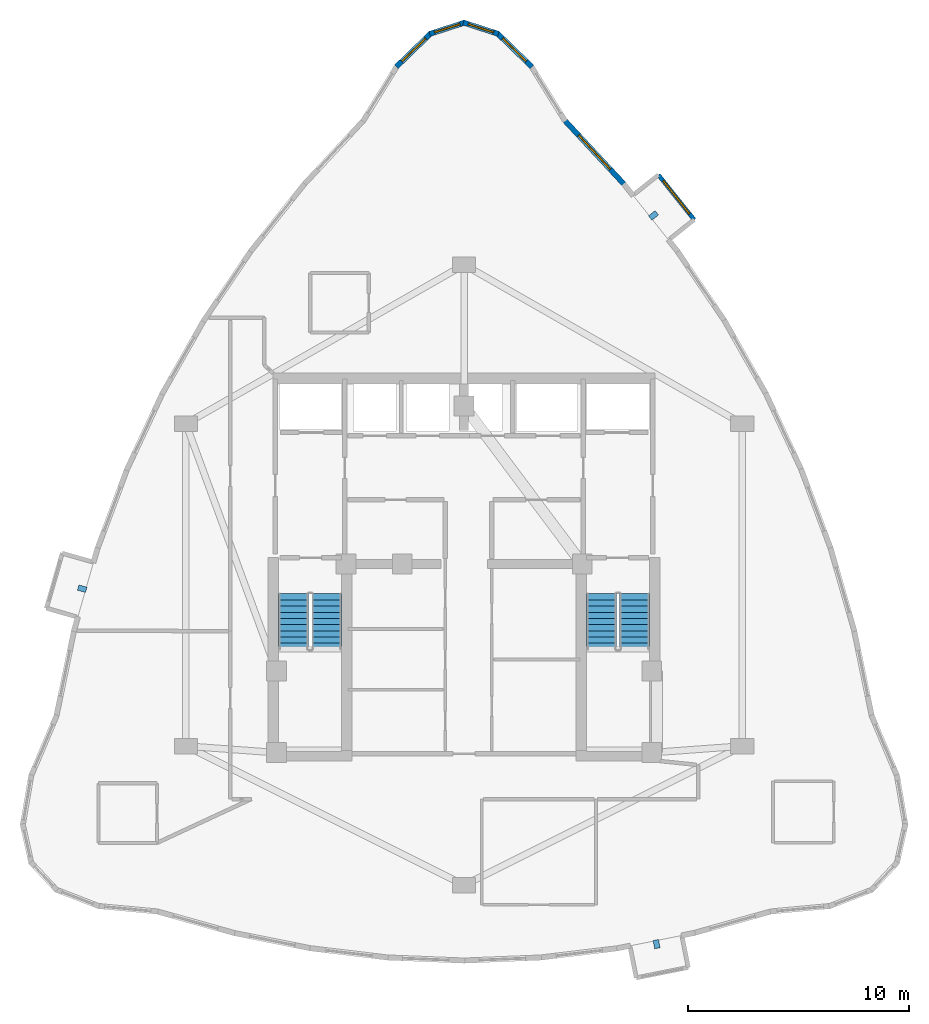
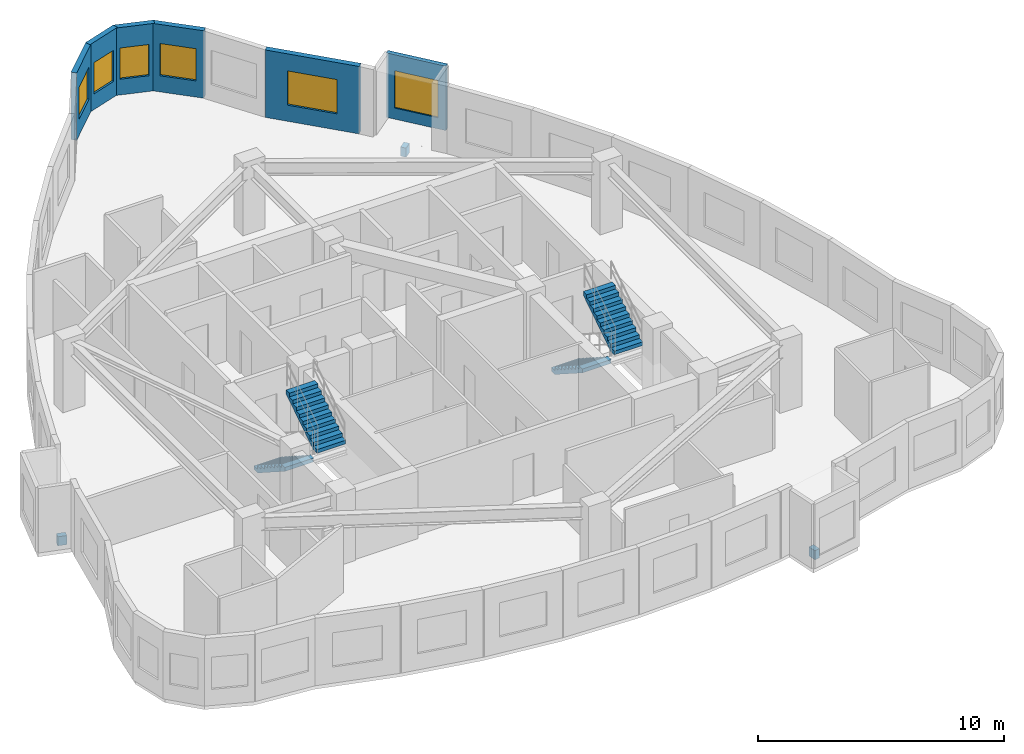
# One storey, part 9 of 10: 6 walls, 6 windows, 4 stair flights, 3 discrete accessories, 6 openings, 2 elements without a shape of their own.
"""IFC4 building model written with IfcOpenShell, lengths in metres."""

from ifc_helpers import new_model, si_unit, direction, frame, frame_2d, origin, origin_2d, place, context, subcontext, project, spatial, polyline, rectangle, outline, extrude, material, layer, layer_set, type_object, element, fill, aggregate, save


model = new_model("IFC4")

# Units and contexts
model_context = context("Model", 3, precision=1e-05, world=origin(), true_north=direction((0.0, 1.0)))
body_context = subcontext(model_context, "Body", "Model", "MODEL_VIEW")
ifc_project = project(units=[si_unit("LENGTHUNIT", "METRE"), si_unit("AREAUNIT", "SQUARE_METRE"), si_unit("VOLUMEUNIT", "CUBIC_METRE"), si_unit("PLANEANGLEUNIT", "RADIAN"), si_unit("MASSUNIT", "GRAM", prefix="KILO")], contexts=[model_context])

# Site, building, storey
site_placement = place(None, origin())
site = spatial("IfcSite", under=ifc_project, at=site_placement, CompositionType="ELEMENT")
building_placement = place(site_placement, origin())
building = spatial("IfcBuilding", under=site, at=building_placement, Name="Miruveldt Soraemaru", CompositionType="ELEMENT")
storey_placement = place(building_placement, frame((0.0, 0.0, 226.800048828125)))
storey = spatial("IfcBuildingStorey", under=building, at=storey_placement, Name="L62", CompositionType="ELEMENT", Elevation=226.800048828125)

# Wall, opening, window
ifc_material_1 = material(Name="White powder-coated aluminium EN AW-6060 T6", Category="aluminium")
ifc_layer_1 = layer(ifc_material_1, 0.18994140625, Name="White powder-coated aluminium EN AW-6060 T6", Category="aluminium")
ifc_layer_set_1 = layer_set([ifc_layer_1], Name="White powder-coated aluminium EN AW-6060 T6")
wall_type_1 = type_object("IfcWallType", Name="WALL-BAY-ALU190", PredefinedType="SOLIDWALL", material=ifc_layer_set_1)
wall_1_placement = place(storey_placement, frame((54.4228515625, 59.641357421875, 0.0), z_axis=(0.0, 0.0, 1.0), x_axis=(-0.623606546405, 0.781738367538, 0.0)))
wall_1 = element("IfcWall", 1, at=wall_1_placement, inside=storey, type_object=wall_type_1, Name="L62 Bay Window Front Frame 3", PredefinedType="SOLIDWALL", context=body_context, shape_type="SweptSolid", body=[
    extrude(rectangle(XDim=2.599853515625, YDim=0.18994140625, at=frame_2d((1.2998046875, 0.0))), origin(), (0.0, 0.0, 1.0), 3.195068359375),
])
opening_1_placement = place(wall_1_placement, frame((0.35009765625, 0.0, 0.550048828125)))
opening_1 = element("IfcOpeningElement", 2, at=opening_1_placement, cuts=wall_1, Name="Opening WN-6", PredefinedType="OPENING", context=body_context, shape_type="SweptSolid", body=[
    extrude(rectangle(XDim=1.89990234375, YDim=1.85009765625, at=frame_2d((0.949951171875, 0.925048828125))), frame((0.0, 0.10498046875, 0.0), z_axis=(0.0, -1.0, 0.0), x_axis=(1.0, 0.0, 0.0)), (0.0, 0.0, 1.0), 0.2099609375),
])
ifc_material_2 = material(Name="Triple low-e insulated glazing", Category="glass")
window_type_1 = type_object("IfcWindowType", Name="WIN-BAYW-1900x1850", PartitioningType="SINGLE_PANEL", PredefinedType="WINDOW", material=ifc_material_2)
window_1_placement = place(opening_1_placement, origin())
window_1 = element("IfcWindow", 3, at=window_1_placement, inside=storey, type_object=window_type_1, Name="L62 Projecting Bay Window 3", OverallHeight=1.85009765625, OverallWidth=1.89990234375, PartitioningType="SINGLE_PANEL", PredefinedType="WINDOW", context=body_context, shape_type="SweptSolid", body=[
    extrude(rectangle(XDim=1.89990234375, YDim=1.85009765625, at=frame_2d((0.949951171875, 0.925048828125))), frame((0.0, 0.030029296875, 0.0), z_axis=(0.0, -1.0, 0.0), x_axis=(1.0, 0.0, 0.0)), (0.0, 0.0, 1.0), 0.06005859375),
])
fill(opening_1, window_1)

ifc_material_3 = material(Name="Precast concrete C45/55 (45 MPa)", Category="concrete")
ifc_layer_2 = layer(ifc_material_3, 0.239990234375, Name="Precast concrete C45/55 (45 MPa)", Category="concrete")
ifc_layer_set_2 = layer_set([ifc_layer_2], Name="Precast concrete C45/55 (45 MPa)")
wall_type_2 = type_object("IfcWallType", Name="WALL-EXT-PC240", PredefinedType="SOLIDWALL", material=ifc_layer_set_2)
wall_2_placement = place(storey_placement, frame((47.070556640625, 66.5673828125, 0.0), z_axis=(0.0, 0.0, 1.0), x_axis=(-0.717775533581, 0.696274574714, 0.0)))
wall_2 = element("IfcWall", 4, at=wall_2_placement, inside=storey, type_object=wall_type_2, Name="L62 Precast Concrete Facade Wall 2", PredefinedType="SOLIDWALL", context=body_context, shape_type="SweptSolid", body=[
    extrude(rectangle(XDim=2.19140625, YDim=0.239990234375, at=frame_2d((1.095703125, 0.0))), origin(), (0.0, 0.0, 1.0), 3.344970703125),
])
opening_2_placement = place(wall_2_placement, frame((0.345947265625, 0.0, 0.800048828125)))
opening_2 = element("IfcOpeningElement", 5, at=opening_2_placement, cuts=wall_2, Name="Opening WN-3", PredefinedType="OPENING", context=body_context, shape_type="SweptSolid", body=[
    extrude(rectangle(XDim=1.5, YDim=1.60009765625, at=frame_2d((0.75, 0.800048828125))), frame((0.0, 0.1298828125, 0.0), z_axis=(0.0, -1.0, 0.0), x_axis=(1.0, 0.0, 0.0)), (0.0, 0.0, 1.0), 0.260009765625),
])
window_type_2 = type_object("IfcWindowType", Name="WIN-PUNCH-1500x1600", PartitioningType="SINGLE_PANEL", PredefinedType="WINDOW", material=ifc_material_2)
window_2_placement = place(opening_2_placement, origin())
window_2 = element("IfcWindow", 6, at=window_2_placement, inside=storey, type_object=window_type_2, Name="L62 Punched Triple-Glazed Window 02.1", OverallHeight=1.60009765625, OverallWidth=1.5, PartitioningType="SINGLE_PANEL", PredefinedType="WINDOW", context=body_context, shape_type="SweptSolid", body=[
    extrude(rectangle(XDim=1.5, YDim=1.60009765625, at=frame_2d((0.75, 0.800048828125))), frame((0.0, 0.030029296875, 0.0), z_axis=(0.0, -1.0, 0.0), x_axis=(1.0, 0.0, 0.0)), (0.0, 0.0, 1.0), 0.06005859375),
])
fill(opening_2, window_2)

wall_3_placement = place(storey_placement, frame((45.555908203125, 68.05810546875, 0.0), z_axis=(0.0, 0.0, 1.0), x_axis=(-0.951481028066, 0.307707414976, 0.0)))
wall_3 = element("IfcWall", 7, at=wall_3_placement, inside=storey, type_object=wall_type_2, Name="L62 Precast Concrete Facade Wall 3", PredefinedType="SOLIDWALL", context=body_context, shape_type="SweptSolid", body=[
    extrude(rectangle(XDim=1.670166015625, YDim=0.239990234375, at=frame_2d((0.8349609375, 0.0))), origin(), (0.0, 0.0, 1.0), 3.344970703125),
])
opening_3_placement = place(wall_3_placement, frame((0.235107421875, 0.0, 0.780029296875)))
opening_3 = element("IfcOpeningElement", 8, at=opening_3_placement, cuts=wall_3, Name="Opening WN-4", PredefinedType="OPENING", context=body_context, shape_type="SweptSolid", body=[
    extrude(rectangle(XDim=1.199951171875, YDim=1.550048828125, at=frame_2d((0.60009765625, 0.77490234375))), frame((0.0, 0.1298828125, 0.0), z_axis=(0.0, -1.0, 0.0), x_axis=(1.0, 0.0, 0.0)), (0.0, 0.0, 1.0), 0.260009765625),
])
window_type_3 = type_object("IfcWindowType", Name="WIN-PUNCH-1200x1550", PartitioningType="SINGLE_PANEL", PredefinedType="WINDOW", material=ifc_material_2)
window_3_placement = place(opening_3_placement, origin())
window_3 = element("IfcWindow", 9, at=window_3_placement, inside=storey, type_object=window_type_3, Name="L62 Punched Triple-Glazed Window 03.1", OverallHeight=1.550048828125, OverallWidth=1.199951171875, PartitioningType="SINGLE_PANEL", PredefinedType="WINDOW", context=body_context, shape_type="SweptSolid", body=[
    extrude(rectangle(XDim=1.199951171875, YDim=1.550048828125, at=frame_2d((0.60009765625, 0.77490234375))), frame((0.0, 0.030029296875, 0.0), z_axis=(0.0, -1.0, 0.0), x_axis=(1.0, 0.0, 0.0)), (0.0, 0.0, 1.0), 0.06005859375),
])
fill(opening_3, window_3)

wall_4_placement = place(storey_placement, frame((44.033203125, 68.572021484375, 0.0), z_axis=(0.0, 0.0, 1.0), x_axis=(-0.951481028066, -0.307707414976, 0.0)))
wall_4 = element("IfcWall", 10, at=wall_4_placement, inside=storey, type_object=wall_type_2, Name="L62 Precast Concrete Facade Wall 4", PredefinedType="SOLIDWALL", context=body_context, shape_type="SweptSolid", body=[
    extrude(rectangle(XDim=1.670166015625, YDim=0.239990234375, at=frame_2d((0.8349609375, 0.0))), origin(), (0.0, 0.0, 1.0), 3.344970703125),
])
opening_4_placement = place(wall_4_placement, frame((0.235107421875, 0.0, 0.780029296875)))
opening_4 = element("IfcOpeningElement", 11, at=opening_4_placement, cuts=wall_4, Name="Opening WN-4", PredefinedType="OPENING", context=body_context, shape_type="SweptSolid", body=[
    extrude(rectangle(XDim=1.199951171875, YDim=1.550048828125, at=frame_2d((0.60009765625, 0.77490234375))), frame((0.0, 0.1298828125, 0.0), z_axis=(0.0, -1.0, 0.0), x_axis=(1.0, 0.0, 0.0)), (0.0, 0.0, 1.0), 0.260009765625),
])
window_4_placement = place(opening_4_placement, origin())
window_4 = element("IfcWindow", 12, at=window_4_placement, inside=storey, type_object=window_type_3, Name="L62 Punched Triple-Glazed Window 04.1", OverallHeight=1.550048828125, OverallWidth=1.199951171875, PartitioningType="SINGLE_PANEL", PredefinedType="WINDOW", context=body_context, shape_type="SweptSolid", body=[
    extrude(rectangle(XDim=1.199951171875, YDim=1.550048828125, at=frame_2d((0.60009765625, 0.77490234375))), frame((0.0, 0.030029296875, 0.0), z_axis=(0.0, -1.0, 0.0), x_axis=(1.0, 0.0, 0.0)), (0.0, 0.0, 1.0), 0.06005859375),
])
fill(opening_4, window_4)

wall_5_placement = place(storey_placement, frame((42.50244140625, 68.09326171875, 0.0), z_axis=(0.0, 0.0, 1.0), x_axis=(-0.717775533581, -0.696274574714, 0.0)))
wall_5 = element("IfcWall", 13, at=wall_5_placement, inside=storey, type_object=wall_type_2, Name="L62 Precast Concrete Facade Wall 5", PredefinedType="SOLIDWALL", context=body_context, shape_type="SweptSolid", body=[
    extrude(rectangle(XDim=2.19140625, YDim=0.239990234375, at=frame_2d((1.095703125, 0.0))), origin(), (0.0, 0.0, 1.0), 3.344970703125),
])
opening_5_placement = place(wall_5_placement, frame((0.345947265625, 0.0, 0.800048828125)))
opening_5 = element("IfcOpeningElement", 14, at=opening_5_placement, cuts=wall_5, Name="Opening WN-3", PredefinedType="OPENING", context=body_context, shape_type="SweptSolid", body=[
    extrude(rectangle(XDim=1.5, YDim=1.60009765625, at=frame_2d((0.75, 0.800048828125))), frame((0.0, 0.1298828125, 0.0), z_axis=(0.0, -1.0, 0.0), x_axis=(1.0, 0.0, 0.0)), (0.0, 0.0, 1.0), 0.260009765625),
])
window_5_placement = place(opening_5_placement, origin())
window_5 = element("IfcWindow", 15, at=window_5_placement, inside=storey, type_object=window_type_2, Name="L62 Punched Triple-Glazed Window 05.1", OverallHeight=1.60009765625, OverallWidth=1.5, PartitioningType="SINGLE_PANEL", PredefinedType="WINDOW", context=body_context, shape_type="SweptSolid", body=[
    extrude(rectangle(XDim=1.5, YDim=1.60009765625, at=frame_2d((0.75, 0.800048828125))), frame((0.0, 0.030029296875, 0.0), z_axis=(0.0, -1.0, 0.0), x_axis=(1.0, 0.0, 0.0)), (0.0, 0.0, 1.0), 0.06005859375),
])
fill(opening_5, window_5)

wall_6_placement = place(storey_placement, frame((51.273193359375, 61.220703125, 0.0), z_axis=(0.0, 0.0, 1.0), x_axis=(-0.680901904473, 0.73237462851, 0.0)))
wall_6 = element("IfcWall", 16, at=wall_6_placement, inside=storey, type_object=wall_type_2, Name="L62 Precast Concrete Facade Wall 42", PredefinedType="SOLIDWALL", context=body_context, shape_type="SweptSolid", body=[
    extrude(rectangle(XDim=4.0078125, YDim=0.239990234375, at=frame_2d((2.00390625, 0.0))), origin(), (0.0, 0.0, 1.0), 3.344970703125),
])
opening_6_placement = place(wall_6_placement, frame((0.9541015625, 0.0, 0.800048828125)))
opening_6 = element("IfcOpeningElement", 17, at=opening_6_placement, cuts=wall_6, Name="Opening WN-1", PredefinedType="OPENING", context=body_context, shape_type="SweptSolid", body=[
    extrude(rectangle(XDim=2.10009765625, YDim=1.699951171875, at=frame_2d((1.050048828125, 0.85009765625))), frame((0.0, 0.1298828125, 0.0), z_axis=(0.0, -1.0, 0.0), x_axis=(1.0, 0.0, 0.0)), (0.0, 0.0, 1.0), 0.260009765625),
])
window_type_4 = type_object("IfcWindowType", Name="WIN-PUNCH-2100x1700", PartitioningType="SINGLE_PANEL", PredefinedType="WINDOW", material=ifc_material_2)
window_6_placement = place(opening_6_placement, origin())
window_6 = element("IfcWindow", 18, at=window_6_placement, inside=storey, type_object=window_type_4, Name="L62 Punched Triple-Glazed Window 42.1", OverallHeight=1.699951171875, OverallWidth=2.10009765625, PartitioningType="SINGLE_PANEL", PredefinedType="WINDOW", context=body_context, shape_type="SweptSolid", body=[
    extrude(rectangle(XDim=2.10009765625, YDim=1.699951171875, at=frame_2d((1.050048828125, 0.85009765625))), frame((0.0, 0.030029296875, 0.0), z_axis=(0.0, -1.0, 0.0), x_axis=(1.0, 0.0, 0.0)), (0.0, 0.0, 1.0), 0.06005859375),
])
fill(opening_6, window_6)

# Stair, stair flights
ifc_material_4 = material(Name="Concrete C40/50 (40 MPa)", Category="concrete")
stair_type = type_object("IfcStairType", Name="STAIR-DL-360", PredefinedType="HALF_TURN_STAIR", material=ifc_material_4)
stair_1_placement = place(storey_placement, origin())
stair_1 = element("IfcStair", 19, at=stair_1_placement, inside=storey, type_object=stair_type, Name="L62 Protected Exit Stair ST-1", PredefinedType="HALF_TURN_STAIR")
stair_flight_type = type_object("IfcStairFlightType", Name="SFL-DL-360", PredefinedType="STRAIGHT", material=ifc_material_4)
stair_flight_1_placement = place(storey_placement, frame((36.27490234375, 42.699951171875, 0.0), z_axis=(0.0, 0.0, 1.0), x_axis=(0.0, -1.0, 0.0)))
stair_flight_1 = element("IfcStairFlight", 20, at=stair_flight_1_placement, type_object=stair_flight_type, Name="ST-1 flight 1", NumberOfRisers=10, NumberOfTreads=9, PredefinedType="STRAIGHT", RiserHeight=0.18, TreadLength=0.28, context=body_context, shape_type="SweptSolid", body=[
    extrude(outline(polyline([(0.0, 0.0), (0.0, 0.179931640625), (0.280029296875, 0.179931640625), (0.280029296875, 0.360107421875), (0.56005859375, 0.360107421875), (0.56005859375, 0.5400390625), (0.840087890625, 0.5400390625), (0.840087890625, 0.719970703125), (1.1201171875, 0.719970703125), (1.1201171875, 0.89990234375), (1.39990234375, 0.89990234375), (1.39990234375, 1.080078125), (1.679931640625, 1.080078125), (1.679931640625, 1.260009765625), (1.9599609375, 1.260009765625), (1.9599609375, 1.43994140625), (2.239990234375, 1.43994140625), (2.239990234375, 1.6201171875), (2.52001953125, 1.6201171875), (2.52001953125, 1.800048828125), (2.52001953125, 1.429931640625), (0.295654296875, 0.0), (0.0, 0.0)])), frame((0.0, 0.675048828125, 0.0), z_axis=(0.0, -1.0, 0.0), x_axis=(1.0, 0.0, 0.0)), (0.0, 0.0, 1.0), 1.35009765625),
])
stair_flight_2_placement = place(storey_placement, frame((37.77490234375, 40.179931640625, 1.800048828125), z_axis=(0.0, 0.0, 1.0), x_axis=(0.0, 1.0, 0.0)))
stair_flight_2 = element("IfcStairFlight", 21, at=stair_flight_2_placement, type_object=stair_flight_type, Name="ST-1 flight 2", NumberOfRisers=10, NumberOfTreads=9, PredefinedType="STRAIGHT", RiserHeight=0.18, TreadLength=0.28, context=body_context, shape_type="SweptSolid", body=[
    extrude(outline(polyline([(0.0, 0.0), (0.0, 0.179931640625), (0.280029296875, 0.179931640625), (0.280029296875, 0.360107421875), (0.56005859375, 0.360107421875), (0.56005859375, 0.5400390625), (0.840087890625, 0.5400390625), (0.840087890625, 0.719970703125), (1.1201171875, 0.719970703125), (1.1201171875, 0.89990234375), (1.39990234375, 0.89990234375), (1.39990234375, 1.080078125), (1.679931640625, 1.080078125), (1.679931640625, 1.260009765625), (1.9599609375, 1.260009765625), (1.9599609375, 1.43994140625), (2.239990234375, 1.43994140625), (2.239990234375, 1.6201171875), (2.52001953125, 1.6201171875), (2.52001953125, 1.800048828125), (2.52001953125, 1.429931640625), (0.295654296875, 0.0), (0.0, 0.0)])), frame((0.0, 0.675048828125, 0.0), z_axis=(0.0, -1.0, 0.0), x_axis=(1.0, 0.0, 0.0)), (0.0, 0.0, 1.0), 1.35009765625),
])
aggregate(stair_1, [stair_flight_1, stair_flight_2])

stair_2_placement = place(storey_placement, origin())
stair_2 = element("IfcStair", 22, at=stair_2_placement, inside=storey, type_object=stair_type, Name="L62 Protected Exit Stair ST-2", PredefinedType="HALF_TURN_STAIR")
stair_flight_3_placement = place(storey_placement, frame((50.22509765625, 42.699951171875, 0.0), z_axis=(0.0, 0.0, 1.0), x_axis=(0.0, -1.0, 0.0)))
stair_flight_3 = element("IfcStairFlight", 23, at=stair_flight_3_placement, type_object=stair_flight_type, Name="ST-2 flight 1", NumberOfRisers=10, NumberOfTreads=9, PredefinedType="STRAIGHT", RiserHeight=0.18, TreadLength=0.28, context=body_context, shape_type="SweptSolid", body=[
    extrude(outline(polyline([(0.0, 0.0), (0.0, 0.179931640625), (0.280029296875, 0.179931640625), (0.280029296875, 0.360107421875), (0.56005859375, 0.360107421875), (0.56005859375, 0.5400390625), (0.840087890625, 0.5400390625), (0.840087890625, 0.719970703125), (1.1201171875, 0.719970703125), (1.1201171875, 0.89990234375), (1.39990234375, 0.89990234375), (1.39990234375, 1.080078125), (1.679931640625, 1.080078125), (1.679931640625, 1.260009765625), (1.9599609375, 1.260009765625), (1.9599609375, 1.43994140625), (2.239990234375, 1.43994140625), (2.239990234375, 1.6201171875), (2.52001953125, 1.6201171875), (2.52001953125, 1.800048828125), (2.52001953125, 1.429931640625), (0.295654296875, 0.0), (0.0, 0.0)])), frame((0.0, 0.675048828125, 0.0), z_axis=(0.0, -1.0, 0.0), x_axis=(1.0, 0.0, 0.0)), (0.0, 0.0, 1.0), 1.35009765625),
])
stair_flight_4_placement = place(storey_placement, frame((51.72509765625, 40.179931640625, 1.800048828125), z_axis=(0.0, 0.0, 1.0), x_axis=(0.0, 1.0, 0.0)))
stair_flight_4 = element("IfcStairFlight", 24, at=stair_flight_4_placement, type_object=stair_flight_type, Name="ST-2 flight 2", NumberOfRisers=10, NumberOfTreads=9, PredefinedType="STRAIGHT", RiserHeight=0.18, TreadLength=0.28, context=body_context, shape_type="SweptSolid", body=[
    extrude(outline(polyline([(0.0, 0.0), (0.0, 0.179931640625), (0.280029296875, 0.179931640625), (0.280029296875, 0.360107421875), (0.56005859375, 0.360107421875), (0.56005859375, 0.5400390625), (0.840087890625, 0.5400390625), (0.840087890625, 0.719970703125), (1.1201171875, 0.719970703125), (1.1201171875, 0.89990234375), (1.39990234375, 0.89990234375), (1.39990234375, 1.080078125), (1.679931640625, 1.080078125), (1.679931640625, 1.260009765625), (1.9599609375, 1.260009765625), (1.9599609375, 1.43994140625), (2.239990234375, 1.43994140625), (2.239990234375, 1.6201171875), (2.52001953125, 1.6201171875), (2.52001953125, 1.800048828125), (2.52001953125, 1.429931640625), (0.295654296875, 0.0), (0.0, 0.0)])), frame((0.0, 0.675048828125, 0.0), z_axis=(0.0, -1.0, 0.0), x_axis=(1.0, 0.0, 0.0)), (0.0, 0.0, 1.0), 1.35009765625),
])
aggregate(stair_2, [stair_flight_3, stair_flight_4])

# Discrete accessories
ifc_material_5 = material(Name="Steel SM355 (355 MPa)", Category="steel")
discrete_accessory_type = type_object("IfcDiscreteAccessoryType", Name="ACC-BAY-BRK", PredefinedType="BRACKET", material=ifc_material_5)
for number, where, z_axis, x_axis, name in (
    (25, (26.70361328125, 42.92578125, -0.7001953125), (0.0, 0.0, 1.0), (-0.961449093633, 0.274982981932, 0.0), "L62 Bay Window Cantilever Bracket 1"),
    (26, (52.718994140625, 26.82666015625, -0.7001953125), (0.0, 0.0, 1.0), (0.196117290802, -0.980580444557, 0.0), "L62 Bay Window Cantilever Bracket 2"),
    (27, (52.580322265625, 59.83447265625, -0.7001953125), (0.0, 0.0, 1.0), (0.781738199863, 0.623606756598, 0.0), "L62 Bay Window Cantilever Bracket 3"),
):
    element("IfcDiscreteAccessory", number, at=place(storey_placement, frame(where, z_axis=z_axis, x_axis=x_axis)), inside=storey, type_object=discrete_accessory_type, Name=name, PredefinedType="BRACKET", context=body_context, shape_type="SweptSolid", body=[
        extrude(rectangle(XDim=0.3798828125, YDim=0.25, at=origin_2d()), origin(), (0.0, 0.0, 1.0), 0.449951171875),
    ])

save(model, "model.ifc")
